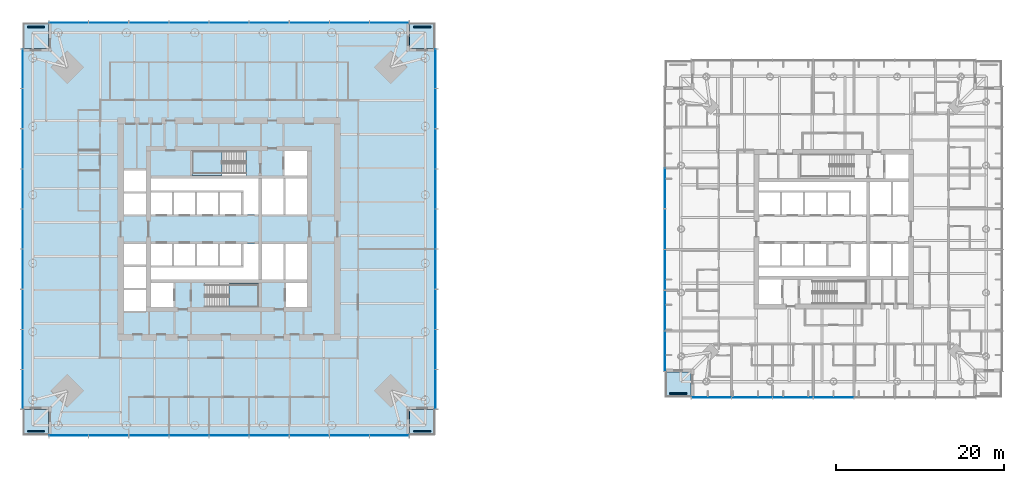
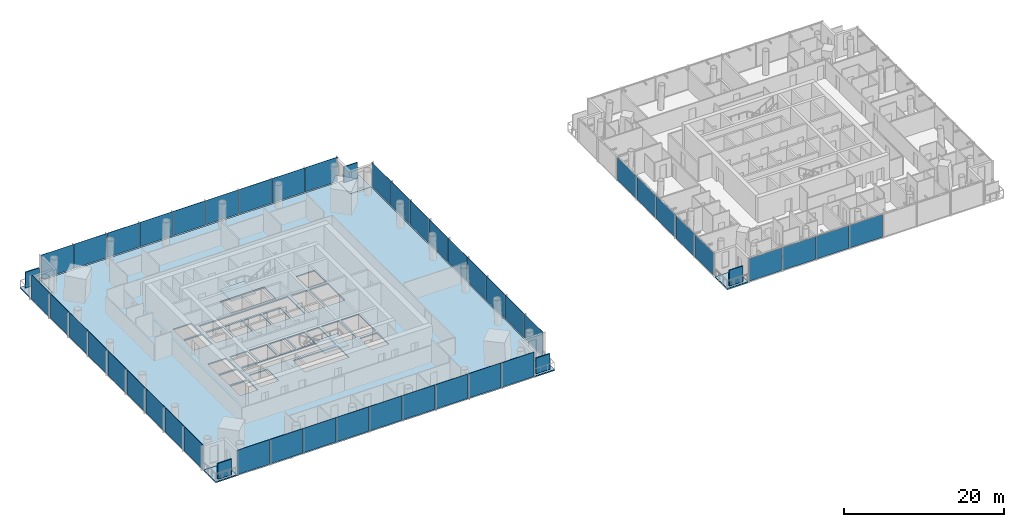
# One storey, part 8 of 22: 50 plates, 8 slabs, 8 elements without a shape of their own.
"""IFC4 building model written with IfcOpenShell, lengths in metres."""

from ifc_helpers import new_model, si_unit, direction, frame, origin, origin_2d, place, context, subcontext, project, spatial, polyline, rectangle, outline, extrude, material, layer, layer_set, type_object, element, aggregate, save


model = new_model("IFC4")

# Units and contexts
model_context = context("Model", 3, precision=1e-05, world=origin(), true_north=direction((0.0, 1.0)))
body_context = subcontext(model_context, "Body", "Model", "MODEL_VIEW")
ifc_project = project(units=[si_unit("LENGTHUNIT", "METRE"), si_unit("AREAUNIT", "SQUARE_METRE"), si_unit("VOLUMEUNIT", "CUBIC_METRE"), si_unit("PLANEANGLEUNIT", "RADIAN"), si_unit("MASSUNIT", "GRAM", prefix="KILO")], contexts=[model_context])

# Site, building, storey
site_placement = place(None, origin())
site = spatial("IfcSite", under=ifc_project, at=site_placement, CompositionType="ELEMENT")
building_placement = place(site_placement, origin())
building = spatial("IfcBuilding", under=site, at=building_placement, Name="Ostroluk Exchange", CompositionType="ELEMENT")
storey_placement = place(building_placement, frame((0.0, 0.0, 40.0)))
storey = spatial("IfcBuildingStorey", under=building, at=storey_placement, Name="L09", CompositionType="ELEMENT", Elevation=40.0)

# Curtain wall, plates
ifc_material_1 = material(Name="Laminated clear glass", Category="glass")
curtain_wall_type_1 = type_object("IfcCurtainWallType", Name="Hotel guest floor facade", PredefinedType="USERDEFINED", material=ifc_material_1)
curtain_wall_1_placement = place(storey_placement, origin())
curtain_wall_1 = element("IfcCurtainWall", 1, at=curtain_wall_1_placement, inside=storey, type_object=curtain_wall_type_1, Name="Hotel tower south facade L09", ObjectType="UNITISED CURTAIN WALL", PredefinedType="USERDEFINED")
ifc_material_2 = material(Name="Laminated clear glass", Category="glass")
ifc_layer_1 = layer(ifc_material_2, 0.0400390625)
ifc_layer_set_1 = layer_set([ifc_layer_1], Name="Acoustic laminated glazing 40")
plate_type_1 = type_object("IfcPlateType", Name="Acoustic laminated glazing 40", PredefinedType="CURTAIN_PANEL", material=ifc_layer_set_1)
plate_1_placement = place(storey_placement, frame((102.448486328125, 25.925048828125, 0.080078125), z_axis=(0.0, 0.0, 1.0), x_axis=(1.0, 0.0, 0.0)))
plate_1 = element("IfcPlate", 2, at=plate_1_placement, type_object=plate_type_1, Name="CW-H1 panel 1.1", PredefinedType="CURTAIN_PANEL", context=body_context, shape_type="SweptSolid", body=[
    extrude(rectangle(XDim=4.737060546875, YDim=0.0400390625, at=origin_2d()), origin(), (0.0, 0.0, 1.0), 3.489990234375),
])
plate_2_placement = place(storey_placement, frame((107.28564453125, 25.925048828125, 0.080078125), z_axis=(0.0, 0.0, 1.0), x_axis=(1.0, 0.0, 0.0)))
plate_2 = element("IfcPlate", 3, at=plate_2_placement, type_object=plate_type_1, Name="CW-H1 panel 2.1", PredefinedType="CURTAIN_PANEL", context=body_context, shape_type="SweptSolid", body=[
    extrude(rectangle(XDim=4.777099609375, YDim=0.0400390625, at=origin_2d()), origin(), (0.0, 0.0, 1.0), 3.489990234375),
])
plate_3_placement = place(storey_placement, frame((112.142822265625, 25.925048828125, 0.080078125), z_axis=(0.0, 0.0, 1.0), x_axis=(1.0, 0.0, 0.0)))
plate_3 = element("IfcPlate", 4, at=plate_3_placement, type_object=plate_type_1, Name="CW-H1 panel 3.1", PredefinedType="CURTAIN_PANEL", context=body_context, shape_type="SweptSolid", body=[
    extrude(rectangle(XDim=4.777099609375, YDim=0.0400390625, at=origin_2d()), origin(), (0.0, 0.0, 1.0), 3.489990234375),
])
plate_4_placement = place(storey_placement, frame((117.0, 25.925048828125, 0.080078125), z_axis=(0.0, 0.0, 1.0), x_axis=(1.0, 0.0, 0.0)))
plate_4 = element("IfcPlate", 5, at=plate_4_placement, type_object=plate_type_1, Name="CW-H1 panel 4.1", PredefinedType="CURTAIN_PANEL", context=body_context, shape_type="SweptSolid", body=[
    extrude(rectangle(XDim=4.777099609375, YDim=0.0400390625, at=origin_2d()), origin(), (0.0, 0.0, 1.0), 3.489990234375),
])
aggregate(curtain_wall_1, [plate_1, plate_2, plate_3, plate_4])

curtain_wall_2_placement = place(storey_placement, origin())
curtain_wall_2 = element("IfcCurtainWall", 6, at=curtain_wall_2_placement, inside=storey, type_object=curtain_wall_type_1, Name="Hotel tower west facade L09", ObjectType="UNITISED CURTAIN WALL", PredefinedType="USERDEFINED")
plate_5_placement = place(storey_placement, frame((96.925048828125, 50.857177734375, 0.080078125), z_axis=(0.0, 0.0, 1.0), x_axis=(0.0, -1.0, 0.0)))
plate_5 = element("IfcPlate", 7, at=plate_5_placement, type_object=plate_type_1, Name="CW-H1 panel 3.1", PredefinedType="CURTAIN_PANEL", context=body_context, shape_type="SweptSolid", body=[
    extrude(rectangle(XDim=4.777099609375, YDim=0.0400390625, at=origin_2d()), origin(), (0.0, 0.0, 1.0), 3.489990234375),
])
plate_6_placement = place(storey_placement, frame((96.925048828125, 46.0, 0.080078125), z_axis=(0.0, 0.0, 1.0), x_axis=(0.0, -1.0, 0.0)))
plate_6 = element("IfcPlate", 8, at=plate_6_placement, type_object=plate_type_1, Name="CW-H1 panel 4.1", PredefinedType="CURTAIN_PANEL", context=body_context, shape_type="SweptSolid", body=[
    extrude(rectangle(XDim=4.777099609375, YDim=0.0400390625, at=origin_2d()), origin(), (0.0, 0.0, 1.0), 3.489990234375),
])
plate_7_placement = place(storey_placement, frame((96.925048828125, 41.142822265625, 0.080078125), z_axis=(0.0, 0.0, 1.0), x_axis=(0.0, -1.0, 0.0)))
plate_7 = element("IfcPlate", 9, at=plate_7_placement, type_object=plate_type_1, Name="CW-H1 panel 5.1", PredefinedType="CURTAIN_PANEL", context=body_context, shape_type="SweptSolid", body=[
    extrude(rectangle(XDim=4.777099609375, YDim=0.0400390625, at=origin_2d()), origin(), (0.0, 0.0, 1.0), 3.489990234375),
])
plate_8_placement = place(storey_placement, frame((96.925048828125, 36.28564453125, 0.080078125), z_axis=(0.0, 0.0, 1.0), x_axis=(0.0, -1.0, 0.0)))
plate_8 = element("IfcPlate", 10, at=plate_8_placement, type_object=plate_type_1, Name="CW-H1 panel 6.1", PredefinedType="CURTAIN_PANEL", context=body_context, shape_type="SweptSolid", body=[
    extrude(rectangle(XDim=4.777099609375, YDim=0.0400390625, at=origin_2d()), origin(), (0.0, 0.0, 1.0), 3.489990234375),
])
plate_9_placement = place(storey_placement, frame((96.925048828125, 31.448486328125, 0.080078125), z_axis=(0.0, 0.0, 1.0), x_axis=(0.0, -1.0, 0.0)))
plate_9 = element("IfcPlate", 11, at=plate_9_placement, type_object=plate_type_1, Name="CW-H1 panel 7.1", PredefinedType="CURTAIN_PANEL", context=body_context, shape_type="SweptSolid", body=[
    extrude(rectangle(XDim=4.737060546875, YDim=0.0400390625, at=origin_2d()), origin(), (0.0, 0.0, 1.0), 3.489990234375),
])
aggregate(curtain_wall_2, [plate_5, plate_6, plate_7, plate_8, plate_9])

# Slabs
ifc_material_3 = material(Name="Concrete C35/45", Category="concrete")
ifc_layer_2 = layer(ifc_material_3, 0.179931640625)
ifc_layer_set_2 = layer_set([ifc_layer_2], Name="Balcony slab 180")
slab_type_1 = type_object("IfcSlabType", Name="Balcony slab 180", PredefinedType="USERDEFINED", material=ifc_layer_set_2)
slab_1_placement = place(storey_placement, frame((0.0, 0.0, -0.179931640625)))
element("IfcSlab", 12, at=slab_1_placement, inside=storey, type_object=slab_type_1, Name="Office tower SE corner balcony L09", ObjectType="BALCONY", PredefinedType="USERDEFINED", context=body_context, shape_type="SweptSolid", body=[
    extrude(outline(polyline([(66.5, 21.5), (69.5, 21.5), (69.5, 24.5), (66.5, 24.5), (66.5, 21.5)])), origin(), (0.0, 0.0, 1.0), 0.179931640625),
])
slab_2_placement = place(storey_placement, frame((0.0, 0.0, -0.179931640625)))
element("IfcSlab", 13, at=slab_2_placement, inside=storey, type_object=slab_type_1, Name="Office tower NE corner balcony L09", ObjectType="BALCONY", PredefinedType="USERDEFINED", context=body_context, shape_type="SweptSolid", body=[
    extrude(outline(polyline([(66.5, 67.5), (69.5, 67.5), (69.5, 70.5), (66.5, 70.5), (66.5, 67.5)])), origin(), (0.0, 0.0, 1.0), 0.179931640625),
])
slab_3_placement = place(storey_placement, frame((0.0, 0.0, -0.179931640625)))
element("IfcSlab", 14, at=slab_3_placement, inside=storey, type_object=slab_type_1, Name="Office tower NW corner balcony L09", ObjectType="BALCONY", PredefinedType="USERDEFINED", context=body_context, shape_type="SweptSolid", body=[
    extrude(outline(polyline([(20.5, 67.5), (23.5, 67.5), (23.5, 70.5), (20.5, 70.5), (20.5, 67.5)])), origin(), (0.0, 0.0, 1.0), 0.179931640625),
])
slab_4_placement = place(storey_placement, frame((0.0, 0.0, -0.179931640625)))
element("IfcSlab", 15, at=slab_4_placement, inside=storey, type_object=slab_type_1, Name="Office tower SW corner balcony L09", ObjectType="BALCONY", PredefinedType="USERDEFINED", context=body_context, shape_type="SweptSolid", body=[
    extrude(outline(polyline([(20.5, 21.5), (23.5, 21.5), (23.5, 24.5), (20.5, 24.5), (20.5, 21.5)])), origin(), (0.0, 0.0, 1.0), 0.179931640625),
])
ifc_material_4 = material(Name="Concrete C35/45", Category="concrete")
ifc_layer_3 = layer(ifc_material_4, 0.199951171875)
ifc_layer_set_3 = layer_set([ifc_layer_3], Name="Balcony slab 200")
slab_type_2 = type_object("IfcSlabType", Name="Balcony slab 200", PredefinedType="USERDEFINED", material=ifc_layer_set_3)
slab_5_placement = place(storey_placement, frame((0.0, 0.0, -0.199951171875)))
element("IfcSlab", 16, at=slab_5_placement, inside=storey, type_object=slab_type_2, Name="Hotel tower SW corner balcony L09", ObjectType="BALCONY", PredefinedType="USERDEFINED", context=body_context, shape_type="SweptSolid", body=[
    extrude(outline(polyline([(97.0, 26.0), (100.0, 26.0), (100.0, 29.0), (97.0, 29.0), (97.0, 26.0)])), origin(), (0.0, 0.0, 1.0), 0.199951171875),
])

# Plates
ifc_material_5 = material(Name="Steel S355 trellis with planting", Category="steel")
ifc_layer_4 = layer(ifc_material_5, 0.14990234375)
ifc_layer_set_4 = layer_set([ifc_layer_4], Name="Planted screen 150")
plate_type_2 = type_object("IfcPlateType", Name="Planted screen 150", PredefinedType="USERDEFINED", material=ifc_layer_set_4)
for number, where, z_axis, x_axis, name in (
    (17, (68.0, 21.925048828125, 0.0), (0.0, 0.0, 1.0), (1.0, 0.0, 0.0), "Office tower SE planted screen L09"),
    (18, (68.0, 70.074951171875, 0.0), (0.0, 0.0, 1.0), (1.0, 0.0, 0.0), "Office tower NE planted screen L09"),
    (19, (22.0, 70.074951171875, 0.0), (0.0, 0.0, 1.0), (1.0, 0.0, 0.0), "Office tower NW planted screen L09"),
    (20, (22.0, 21.925048828125, 0.0), (0.0, 0.0, 1.0), (1.0, 0.0, 0.0), "Office tower SW planted screen L09"),
    (21, (98.5, 26.425048828125, 0.0), (0.0, 0.0, 1.0), (1.0, 0.0, 0.0), "Hotel tower SW planted screen L09"),
):
    element("IfcPlate", number, at=place(storey_placement, frame(where, z_axis=z_axis, x_axis=x_axis)), inside=storey, type_object=plate_type_2, Name=name, ObjectType="PLANTED SCREEN", PredefinedType="USERDEFINED", context=body_context, shape_type="SweptSolid", body=[
        extrude(rectangle(XDim=2.0, YDim=0.14990234375, at=origin_2d()), origin(), (0.0, 0.0, 1.0), 2.39990234375),
    ])

# Stair, slab
ifc_material_6 = material(Name="Concrete C30/37", Category="concrete")
stair_type = type_object("IfcStairType", Name="Exit stair half turn 3800", PredefinedType="HALF_TURN_STAIR", material=ifc_material_6)
stair_1_placement = place(storey_placement, origin())
stair_1 = element("IfcStair", 22, at=stair_1_placement, inside=storey, type_object=stair_type, Name="Stair T1-S1 L09", PredefinedType="HALF_TURN_STAIR")
ifc_material_7 = material(Name="Concrete C30/37", Category="concrete")
ifc_layer_5 = layer(ifc_material_7, 0.199951171875)
ifc_layer_set_5 = layer_set([ifc_layer_5], Name="Stair landing 200")
slab_type_3 = type_object("IfcSlabType", Name="Stair landing 200", PredefinedType="LANDING", material=ifc_layer_set_5)
slab_6_placement = place(storey_placement, frame((0.0, 0.0, 1.699951171875)))
slab_6 = element("IfcSlab", 23, at=slab_6_placement, type_object=slab_type_3, Name="T1-S1 landing 1", PredefinedType="LANDING", context=body_context, shape_type="SweptSolid", body=[
    extrude(outline(polyline([(45.0, 36.699951171875), (45.0, 39.60009765625), (48.530029296875, 39.60009765625), (48.530029296875, 36.699951171875), (45.0, 36.699951171875)])), origin(), (0.0, 0.0, 1.0), 0.199951171875),
])
aggregate(stair_1, [slab_6])

stair_2_placement = place(storey_placement, origin())
stair_2 = element("IfcStair", 24, at=stair_2_placement, inside=storey, type_object=stair_type, Name="Stair T1-S2 L09", PredefinedType="HALF_TURN_STAIR")
slab_7_placement = place(storey_placement, frame((0.0, 0.0, 1.699951171875)))
slab_7 = element("IfcSlab", 25, at=slab_7_placement, type_object=slab_type_3, Name="T1-S2 landing 1", PredefinedType="LANDING", context=body_context, shape_type="SweptSolid", body=[
    extrude(outline(polyline([(44.1298828125, 52.39990234375), (44.1298828125, 55.300048828125), (40.60009765625, 55.300048828125), (40.60009765625, 52.39990234375), (44.1298828125, 52.39990234375)])), origin(), (0.0, 0.0, 1.0), 0.199951171875),
])
aggregate(stair_2, [slab_7])

# Slab
ifc_material_8 = material(Name="Concrete C35/45", Category="concrete")
ifc_layer_6 = layer(ifc_material_8, 0.179931640625)
ifc_layer_set_6 = layer_set([ifc_layer_6], Name="Tower floor slab 180 composite")
slab_type_4 = type_object("IfcSlabType", Name="Tower floor slab 180 composite", PredefinedType="FLOOR", material=ifc_layer_set_6)
slab_8_placement = place(storey_placement, frame((0.0, 0.0, -0.179931640625)))
element("IfcSlab", 26, at=slab_8_placement, inside=storey, type_object=slab_type_4, Name="Office tower floor slab L09", PredefinedType="FLOOR", context=body_context, shape_type="SweptSolid", body=[
    extrude(outline(polyline([(23.5, 21.5), (66.5, 21.5), (66.5, 24.5), (69.5, 24.5), (69.5, 67.5), (66.5, 67.5), (66.5, 70.5), (23.5, 70.5), (23.5, 67.5), (20.5, 67.5), (20.5, 24.5), (23.5, 24.5), (23.5, 21.5)]), holes=[polyline([(35.699951171875, 36.699951171875), (38.39990234375, 36.699951171875), (38.39990234375, 39.60009765625), (35.699951171875, 39.60009765625), (35.699951171875, 36.699951171875)]), polyline([(42.110107421875, 36.699951171875), (48.530029296875, 36.699951171875), (48.530029296875, 39.60009765625), (42.110107421875, 39.60009765625), (42.110107421875, 36.699951171875)]), polyline([(51.800048828125, 36.699951171875), (54.300048828125, 36.699951171875), (54.300048828125, 39.60009765625), (51.800048828125, 39.60009765625), (51.800048828125, 36.699951171875)]), polyline([(40.60009765625, 52.39990234375), (47.02001953125, 52.39990234375), (47.02001953125, 55.300048828125), (40.60009765625, 55.300048828125), (40.60009765625, 52.39990234375)]), polyline([(51.60009765625, 52.39990234375), (54.300048828125, 52.39990234375), (54.300048828125, 55.300048828125), (51.60009765625, 55.300048828125), (51.60009765625, 52.39990234375)]), polyline([(35.699951171875, 47.75), (38.199951171875, 47.75), (38.199951171875, 50.35009765625), (35.699951171875, 50.35009765625), (35.699951171875, 47.75)]), polyline([(38.449951171875, 47.75), (40.949951171875, 47.75), (40.949951171875, 50.35009765625), (38.449951171875, 50.35009765625), (38.449951171875, 47.75)]), polyline([(41.199951171875, 47.75), (43.699951171875, 47.75), (43.699951171875, 50.35009765625), (41.199951171875, 50.35009765625), (41.199951171875, 47.75)]), polyline([(43.949951171875, 47.75), (46.449951171875, 47.75), (46.449951171875, 50.35009765625), (43.949951171875, 50.35009765625), (43.949951171875, 47.75)]), polyline([(35.699951171875, 41.64990234375), (38.199951171875, 41.64990234375), (38.199951171875, 44.25), (35.699951171875, 44.25), (35.699951171875, 41.64990234375)]), polyline([(38.449951171875, 41.64990234375), (40.949951171875, 41.64990234375), (40.949951171875, 44.25), (38.449951171875, 44.25), (38.449951171875, 41.64990234375)]), polyline([(41.199951171875, 41.64990234375), (43.699951171875, 41.64990234375), (43.699951171875, 44.25), (41.199951171875, 44.25), (41.199951171875, 41.64990234375)]), polyline([(43.949951171875, 41.64990234375), (46.449951171875, 41.64990234375), (46.449951171875, 44.25), (43.949951171875, 44.25), (43.949951171875, 41.64990234375)]), polyline([(48.929931640625, 47.75), (51.489990234375, 47.75), (51.489990234375, 52.0), (48.929931640625, 52.0), (48.929931640625, 47.75)]), polyline([(51.739990234375, 47.75), (54.300048828125, 47.75), (54.300048828125, 52.0), (51.739990234375, 52.0), (51.739990234375, 47.75)]), polyline([(48.929931640625, 40.0), (51.489990234375, 40.0), (51.489990234375, 44.25), (48.929931640625, 44.25), (48.929931640625, 40.0)]), polyline([(51.739990234375, 40.0), (54.300048828125, 40.0), (54.300048828125, 44.25), (51.739990234375, 44.25), (51.739990234375, 40.0)]), polyline([(48.530029296875, 52.0), (48.530029296875, 47.75), (46.699951171875, 47.75), (46.699951171875, 50.60009765625), (35.699951171875, 50.60009765625), (35.699951171875, 52.0), (48.530029296875, 52.0)]), polyline([(35.699951171875, 40.0), (35.699951171875, 41.39990234375), (46.699951171875, 41.39990234375), (46.699951171875, 44.25), (48.530029296875, 44.25), (48.530029296875, 40.0), (35.699951171875, 40.0)]), polyline([(32.5, 36.25), (35.10009765625, 36.25), (35.10009765625, 38.75), (32.5, 38.75), (32.5, 36.25)]), polyline([(32.5, 39.0), (35.10009765625, 39.0), (35.10009765625, 41.5), (32.5, 41.5), (32.5, 39.0)]), polyline([(32.5, 41.75), (35.10009765625, 41.75), (35.10009765625, 44.25), (32.5, 44.25), (32.5, 41.75)]), polyline([(32.5, 47.75), (35.10009765625, 47.75), (35.10009765625, 50.25), (32.5, 50.25), (32.5, 47.75)]), polyline([(32.5, 50.5), (35.10009765625, 50.5), (35.10009765625, 53.0), (32.5, 53.0), (32.5, 50.5)])]), origin(), (0.0, 0.0, 1.0), 0.179931640625),
])

# Curtain wall, plates
ifc_material_9 = material(Name="Laminated clear glass", Category="glass")
curtain_wall_type_2 = type_object("IfcCurtainWallType", Name="Office tower facade", PredefinedType="USERDEFINED", material=ifc_material_9)
curtain_wall_3_placement = place(storey_placement, origin())
curtain_wall_3 = element("IfcCurtainWall", 27, at=curtain_wall_3_placement, inside=storey, type_object=curtain_wall_type_2, Name="Office tower south facade L09", ObjectType="UNITISED CURTAIN WALL", PredefinedType="USERDEFINED")
ifc_material_10 = material(Name="Laminated clear glass", Category="glass")
ifc_layer_7 = layer(ifc_material_10, 0.0439453125)
ifc_layer_set_7 = layer_set([ifc_layer_7], Name="Triple laminated clear glazing 44")
plate_type_3 = type_object("IfcPlateType", Name="Triple laminated clear glazing 44", PredefinedType="CURTAIN_PANEL", material=ifc_layer_set_7)
plate_10_placement = place(storey_placement, frame((25.908935546875, 21.425048828125, 0.080078125), z_axis=(0.0, 0.0, 1.0), x_axis=(1.0, 0.0, 0.0)))
plate_10 = element("IfcPlate", 28, at=plate_10_placement, type_object=plate_type_3, Name="CW-O1 panel 1.1", PredefinedType="CURTAIN_PANEL", context=body_context, shape_type="SweptSolid", body=[
    extrude(rectangle(XDim=4.65771484375, YDim=0.0439453125, at=origin_2d()), origin(), (0.0, 0.0, 1.0), 3.719970703125),
])
plate_11_placement = place(storey_placement, frame((30.666748046875, 21.425048828125, 0.080078125), z_axis=(0.0, 0.0, 1.0), x_axis=(1.0, 0.0, 0.0)))
plate_11 = element("IfcPlate", 29, at=plate_11_placement, type_object=plate_type_3, Name="CW-O1 panel 2.1", PredefinedType="CURTAIN_PANEL", context=body_context, shape_type="SweptSolid", body=[
    extrude(rectangle(XDim=4.69775390625, YDim=0.0439453125, at=origin_2d()), origin(), (0.0, 0.0, 1.0), 3.719970703125),
])
plate_12_placement = place(storey_placement, frame((35.4443359375, 21.425048828125, 0.080078125), z_axis=(0.0, 0.0, 1.0), x_axis=(1.0, 0.0, 0.0)))
plate_12 = element("IfcPlate", 30, at=plate_12_placement, type_object=plate_type_3, Name="CW-O1 panel 3.1", PredefinedType="CURTAIN_PANEL", context=body_context, shape_type="SweptSolid", body=[
    extrude(rectangle(XDim=4.69775390625, YDim=0.0439453125, at=origin_2d()), origin(), (0.0, 0.0, 1.0), 3.719970703125),
])
plate_13_placement = place(storey_placement, frame((40.22216796875, 21.425048828125, 0.080078125), z_axis=(0.0, 0.0, 1.0), x_axis=(1.0, 0.0, 0.0)))
plate_13 = element("IfcPlate", 31, at=plate_13_placement, type_object=plate_type_3, Name="CW-O1 panel 4.1", PredefinedType="CURTAIN_PANEL", context=body_context, shape_type="SweptSolid", body=[
    extrude(rectangle(XDim=4.69775390625, YDim=0.0439453125, at=origin_2d()), origin(), (0.0, 0.0, 1.0), 3.719970703125),
])
plate_14_placement = place(storey_placement, frame((45.0, 21.425048828125, 0.080078125), z_axis=(0.0, 0.0, 1.0), x_axis=(1.0, 0.0, 0.0)))
plate_14 = element("IfcPlate", 32, at=plate_14_placement, type_object=plate_type_3, Name="CW-O1 panel 5.1", PredefinedType="CURTAIN_PANEL", context=body_context, shape_type="SweptSolid", body=[
    extrude(rectangle(XDim=4.69775390625, YDim=0.0439453125, at=origin_2d()), origin(), (0.0, 0.0, 1.0), 3.719970703125),
])
plate_15_placement = place(storey_placement, frame((49.77783203125, 21.425048828125, 0.080078125), z_axis=(0.0, 0.0, 1.0), x_axis=(1.0, 0.0, 0.0)))
plate_15 = element("IfcPlate", 33, at=plate_15_placement, type_object=plate_type_3, Name="CW-O1 panel 6.1", PredefinedType="CURTAIN_PANEL", context=body_context, shape_type="SweptSolid", body=[
    extrude(rectangle(XDim=4.69775390625, YDim=0.0439453125, at=origin_2d()), origin(), (0.0, 0.0, 1.0), 3.719970703125),
])
plate_16_placement = place(storey_placement, frame((54.5556640625, 21.425048828125, 0.080078125), z_axis=(0.0, 0.0, 1.0), x_axis=(1.0, 0.0, 0.0)))
plate_16 = element("IfcPlate", 34, at=plate_16_placement, type_object=plate_type_3, Name="CW-O1 panel 7.1", PredefinedType="CURTAIN_PANEL", context=body_context, shape_type="SweptSolid", body=[
    extrude(rectangle(XDim=4.69775390625, YDim=0.0439453125, at=origin_2d()), origin(), (0.0, 0.0, 1.0), 3.719970703125),
])
plate_17_placement = place(storey_placement, frame((59.333251953125, 21.425048828125, 0.080078125), z_axis=(0.0, 0.0, 1.0), x_axis=(1.0, 0.0, 0.0)))
plate_17 = element("IfcPlate", 35, at=plate_17_placement, type_object=plate_type_3, Name="CW-O1 panel 8.1", PredefinedType="CURTAIN_PANEL", context=body_context, shape_type="SweptSolid", body=[
    extrude(rectangle(XDim=4.69775390625, YDim=0.0439453125, at=origin_2d()), origin(), (0.0, 0.0, 1.0), 3.719970703125),
])
plate_18_placement = place(storey_placement, frame((64.091064453125, 21.425048828125, 0.080078125), z_axis=(0.0, 0.0, 1.0), x_axis=(1.0, 0.0, 0.0)))
plate_18 = element("IfcPlate", 36, at=plate_18_placement, type_object=plate_type_3, Name="CW-O1 panel 9.1", PredefinedType="CURTAIN_PANEL", context=body_context, shape_type="SweptSolid", body=[
    extrude(rectangle(XDim=4.65771484375, YDim=0.0439453125, at=origin_2d()), origin(), (0.0, 0.0, 1.0), 3.719970703125),
])
aggregate(curtain_wall_3, [plate_10, plate_11, plate_12, plate_13, plate_14, plate_15, plate_16, plate_17, plate_18])

curtain_wall_4_placement = place(storey_placement, origin())
curtain_wall_4 = element("IfcCurtainWall", 37, at=curtain_wall_4_placement, inside=storey, type_object=curtain_wall_type_2, Name="Office tower east facade L09", ObjectType="UNITISED CURTAIN WALL", PredefinedType="USERDEFINED")
plate_19_placement = place(storey_placement, frame((69.574951171875, 26.908935546875, 0.080078125), z_axis=(0.0, 0.0, 1.0), x_axis=(0.0, 1.0, 0.0)))
plate_19 = element("IfcPlate", 38, at=plate_19_placement, type_object=plate_type_3, Name="CW-O1 panel 1.1", PredefinedType="CURTAIN_PANEL", context=body_context, shape_type="SweptSolid", body=[
    extrude(rectangle(XDim=4.65771484375, YDim=0.0439453125, at=origin_2d()), origin(), (0.0, 0.0, 1.0), 3.719970703125),
])
plate_20_placement = place(storey_placement, frame((69.574951171875, 31.666748046875, 0.080078125), z_axis=(0.0, 0.0, 1.0), x_axis=(0.0, 1.0, 0.0)))
plate_20 = element("IfcPlate", 39, at=plate_20_placement, type_object=plate_type_3, Name="CW-O1 panel 2.1", PredefinedType="CURTAIN_PANEL", context=body_context, shape_type="SweptSolid", body=[
    extrude(rectangle(XDim=4.69775390625, YDim=0.0439453125, at=origin_2d()), origin(), (0.0, 0.0, 1.0), 3.719970703125),
])
plate_21_placement = place(storey_placement, frame((69.574951171875, 36.4443359375, 0.080078125), z_axis=(0.0, 0.0, 1.0), x_axis=(0.0, 1.0, 0.0)))
plate_21 = element("IfcPlate", 40, at=plate_21_placement, type_object=plate_type_3, Name="CW-O1 panel 3.1", PredefinedType="CURTAIN_PANEL", context=body_context, shape_type="SweptSolid", body=[
    extrude(rectangle(XDim=4.69775390625, YDim=0.0439453125, at=origin_2d()), origin(), (0.0, 0.0, 1.0), 3.719970703125),
])
plate_22_placement = place(storey_placement, frame((69.574951171875, 41.22216796875, 0.080078125), z_axis=(0.0, 0.0, 1.0), x_axis=(0.0, 1.0, 0.0)))
plate_22 = element("IfcPlate", 41, at=plate_22_placement, type_object=plate_type_3, Name="CW-O1 panel 4.1", PredefinedType="CURTAIN_PANEL", context=body_context, shape_type="SweptSolid", body=[
    extrude(rectangle(XDim=4.69775390625, YDim=0.0439453125, at=origin_2d()), origin(), (0.0, 0.0, 1.0), 3.719970703125),
])
plate_23_placement = place(storey_placement, frame((69.574951171875, 46.0, 0.080078125), z_axis=(0.0, 0.0, 1.0), x_axis=(0.0, 1.0, 0.0)))
plate_23 = element("IfcPlate", 42, at=plate_23_placement, type_object=plate_type_3, Name="CW-O1 panel 5.1", PredefinedType="CURTAIN_PANEL", context=body_context, shape_type="SweptSolid", body=[
    extrude(rectangle(XDim=4.69775390625, YDim=0.0439453125, at=origin_2d()), origin(), (0.0, 0.0, 1.0), 3.719970703125),
])
plate_24_placement = place(storey_placement, frame((69.574951171875, 50.77783203125, 0.080078125), z_axis=(0.0, 0.0, 1.0), x_axis=(0.0, 1.0, 0.0)))
plate_24 = element("IfcPlate", 43, at=plate_24_placement, type_object=plate_type_3, Name="CW-O1 panel 6.1", PredefinedType="CURTAIN_PANEL", context=body_context, shape_type="SweptSolid", body=[
    extrude(rectangle(XDim=4.69775390625, YDim=0.0439453125, at=origin_2d()), origin(), (0.0, 0.0, 1.0), 3.719970703125),
])
plate_25_placement = place(storey_placement, frame((69.574951171875, 55.5556640625, 0.080078125), z_axis=(0.0, 0.0, 1.0), x_axis=(0.0, 1.0, 0.0)))
plate_25 = element("IfcPlate", 44, at=plate_25_placement, type_object=plate_type_3, Name="CW-O1 panel 7.1", PredefinedType="CURTAIN_PANEL", context=body_context, shape_type="SweptSolid", body=[
    extrude(rectangle(XDim=4.69775390625, YDim=0.0439453125, at=origin_2d()), origin(), (0.0, 0.0, 1.0), 3.719970703125),
])
plate_26_placement = place(storey_placement, frame((69.574951171875, 60.333251953125, 0.080078125), z_axis=(0.0, 0.0, 1.0), x_axis=(0.0, 1.0, 0.0)))
plate_26 = element("IfcPlate", 45, at=plate_26_placement, type_object=plate_type_3, Name="CW-O1 panel 8.1", PredefinedType="CURTAIN_PANEL", context=body_context, shape_type="SweptSolid", body=[
    extrude(rectangle(XDim=4.69775390625, YDim=0.0439453125, at=origin_2d()), origin(), (0.0, 0.0, 1.0), 3.719970703125),
])
plate_27_placement = place(storey_placement, frame((69.574951171875, 65.091064453125, 0.080078125), z_axis=(0.0, 0.0, 1.0), x_axis=(0.0, 1.0, 0.0)))
plate_27 = element("IfcPlate", 46, at=plate_27_placement, type_object=plate_type_3, Name="CW-O1 panel 9.1", PredefinedType="CURTAIN_PANEL", context=body_context, shape_type="SweptSolid", body=[
    extrude(rectangle(XDim=4.65771484375, YDim=0.0439453125, at=origin_2d()), origin(), (0.0, 0.0, 1.0), 3.719970703125),
])
aggregate(curtain_wall_4, [plate_19, plate_20, plate_21, plate_22, plate_23, plate_24, plate_25, plate_26, plate_27])

curtain_wall_5_placement = place(storey_placement, origin())
curtain_wall_5 = element("IfcCurtainWall", 47, at=curtain_wall_5_placement, inside=storey, type_object=curtain_wall_type_2, Name="Office tower north facade L09", ObjectType="UNITISED CURTAIN WALL", PredefinedType="USERDEFINED")
plate_28_placement = place(storey_placement, frame((64.091064453125, 70.574951171875, 0.080078125), z_axis=(0.0, 0.0, 1.0), x_axis=(-1.0, 0.0, 0.0)))
plate_28 = element("IfcPlate", 48, at=plate_28_placement, type_object=plate_type_3, Name="CW-O1 panel 1.1", PredefinedType="CURTAIN_PANEL", context=body_context, shape_type="SweptSolid", body=[
    extrude(rectangle(XDim=4.65771484375, YDim=0.0439453125, at=origin_2d()), origin(), (0.0, 0.0, 1.0), 3.719970703125),
])
plate_29_placement = place(storey_placement, frame((59.333251953125, 70.574951171875, 0.080078125), z_axis=(0.0, 0.0, 1.0), x_axis=(-1.0, 0.0, 0.0)))
plate_29 = element("IfcPlate", 49, at=plate_29_placement, type_object=plate_type_3, Name="CW-O1 panel 2.1", PredefinedType="CURTAIN_PANEL", context=body_context, shape_type="SweptSolid", body=[
    extrude(rectangle(XDim=4.69775390625, YDim=0.0439453125, at=origin_2d()), origin(), (0.0, 0.0, 1.0), 3.719970703125),
])
plate_30_placement = place(storey_placement, frame((54.5556640625, 70.574951171875, 0.080078125), z_axis=(0.0, 0.0, 1.0), x_axis=(-1.0, 0.0, 0.0)))
plate_30 = element("IfcPlate", 50, at=plate_30_placement, type_object=plate_type_3, Name="CW-O1 panel 3.1", PredefinedType="CURTAIN_PANEL", context=body_context, shape_type="SweptSolid", body=[
    extrude(rectangle(XDim=4.69775390625, YDim=0.0439453125, at=origin_2d()), origin(), (0.0, 0.0, 1.0), 3.719970703125),
])
plate_31_placement = place(storey_placement, frame((49.77783203125, 70.574951171875, 0.080078125), z_axis=(0.0, 0.0, 1.0), x_axis=(-1.0, 0.0, 0.0)))
plate_31 = element("IfcPlate", 51, at=plate_31_placement, type_object=plate_type_3, Name="CW-O1 panel 4.1", PredefinedType="CURTAIN_PANEL", context=body_context, shape_type="SweptSolid", body=[
    extrude(rectangle(XDim=4.69775390625, YDim=0.0439453125, at=origin_2d()), origin(), (0.0, 0.0, 1.0), 3.719970703125),
])
plate_32_placement = place(storey_placement, frame((45.0, 70.574951171875, 0.080078125), z_axis=(0.0, 0.0, 1.0), x_axis=(-1.0, 0.0, 0.0)))
plate_32 = element("IfcPlate", 52, at=plate_32_placement, type_object=plate_type_3, Name="CW-O1 panel 5.1", PredefinedType="CURTAIN_PANEL", context=body_context, shape_type="SweptSolid", body=[
    extrude(rectangle(XDim=4.69775390625, YDim=0.0439453125, at=origin_2d()), origin(), (0.0, 0.0, 1.0), 3.719970703125),
])
plate_33_placement = place(storey_placement, frame((40.22216796875, 70.574951171875, 0.080078125), z_axis=(0.0, 0.0, 1.0), x_axis=(-1.0, 0.0, 0.0)))
plate_33 = element("IfcPlate", 53, at=plate_33_placement, type_object=plate_type_3, Name="CW-O1 panel 6.1", PredefinedType="CURTAIN_PANEL", context=body_context, shape_type="SweptSolid", body=[
    extrude(rectangle(XDim=4.69775390625, YDim=0.0439453125, at=origin_2d()), origin(), (0.0, 0.0, 1.0), 3.719970703125),
])
plate_34_placement = place(storey_placement, frame((35.4443359375, 70.574951171875, 0.080078125), z_axis=(0.0, 0.0, 1.0), x_axis=(-1.0, 0.0, 0.0)))
plate_34 = element("IfcPlate", 54, at=plate_34_placement, type_object=plate_type_3, Name="CW-O1 panel 7.1", PredefinedType="CURTAIN_PANEL", context=body_context, shape_type="SweptSolid", body=[
    extrude(rectangle(XDim=4.69775390625, YDim=0.0439453125, at=origin_2d()), origin(), (0.0, 0.0, 1.0), 3.719970703125),
])
plate_35_placement = place(storey_placement, frame((30.666748046875, 70.574951171875, 0.080078125), z_axis=(0.0, 0.0, 1.0), x_axis=(-1.0, 0.0, 0.0)))
plate_35 = element("IfcPlate", 55, at=plate_35_placement, type_object=plate_type_3, Name="CW-O1 panel 8.1", PredefinedType="CURTAIN_PANEL", context=body_context, shape_type="SweptSolid", body=[
    extrude(rectangle(XDim=4.69775390625, YDim=0.0439453125, at=origin_2d()), origin(), (0.0, 0.0, 1.0), 3.719970703125),
])
plate_36_placement = place(storey_placement, frame((25.908935546875, 70.574951171875, 0.080078125), z_axis=(0.0, 0.0, 1.0), x_axis=(-1.0, 0.0, 0.0)))
plate_36 = element("IfcPlate", 56, at=plate_36_placement, type_object=plate_type_3, Name="CW-O1 panel 9.1", PredefinedType="CURTAIN_PANEL", context=body_context, shape_type="SweptSolid", body=[
    extrude(rectangle(XDim=4.65771484375, YDim=0.0439453125, at=origin_2d()), origin(), (0.0, 0.0, 1.0), 3.719970703125),
])
aggregate(curtain_wall_5, [plate_28, plate_29, plate_30, plate_31, plate_32, plate_33, plate_34, plate_35, plate_36])

curtain_wall_6_placement = place(storey_placement, origin())
curtain_wall_6 = element("IfcCurtainWall", 57, at=curtain_wall_6_placement, inside=storey, type_object=curtain_wall_type_2, Name="Office tower west facade L09", ObjectType="UNITISED CURTAIN WALL", PredefinedType="USERDEFINED")
plate_37_placement = place(storey_placement, frame((20.425048828125, 65.091064453125, 0.080078125), z_axis=(0.0, 0.0, 1.0), x_axis=(0.0, -1.0, 0.0)))
plate_37 = element("IfcPlate", 58, at=plate_37_placement, type_object=plate_type_3, Name="CW-O1 panel 1.1", PredefinedType="CURTAIN_PANEL", context=body_context, shape_type="SweptSolid", body=[
    extrude(rectangle(XDim=4.65771484375, YDim=0.0439453125, at=origin_2d()), origin(), (0.0, 0.0, 1.0), 3.719970703125),
])
plate_38_placement = place(storey_placement, frame((20.425048828125, 60.333251953125, 0.080078125), z_axis=(0.0, 0.0, 1.0), x_axis=(0.0, -1.0, 0.0)))
plate_38 = element("IfcPlate", 59, at=plate_38_placement, type_object=plate_type_3, Name="CW-O1 panel 2.1", PredefinedType="CURTAIN_PANEL", context=body_context, shape_type="SweptSolid", body=[
    extrude(rectangle(XDim=4.69775390625, YDim=0.0439453125, at=origin_2d()), origin(), (0.0, 0.0, 1.0), 3.719970703125),
])
plate_39_placement = place(storey_placement, frame((20.425048828125, 55.5556640625, 0.080078125), z_axis=(0.0, 0.0, 1.0), x_axis=(0.0, -1.0, 0.0)))
plate_39 = element("IfcPlate", 60, at=plate_39_placement, type_object=plate_type_3, Name="CW-O1 panel 3.1", PredefinedType="CURTAIN_PANEL", context=body_context, shape_type="SweptSolid", body=[
    extrude(rectangle(XDim=4.69775390625, YDim=0.0439453125, at=origin_2d()), origin(), (0.0, 0.0, 1.0), 3.719970703125),
])
plate_40_placement = place(storey_placement, frame((20.425048828125, 50.77783203125, 0.080078125), z_axis=(0.0, 0.0, 1.0), x_axis=(0.0, -1.0, 0.0)))
plate_40 = element("IfcPlate", 61, at=plate_40_placement, type_object=plate_type_3, Name="CW-O1 panel 4.1", PredefinedType="CURTAIN_PANEL", context=body_context, shape_type="SweptSolid", body=[
    extrude(rectangle(XDim=4.69775390625, YDim=0.0439453125, at=origin_2d()), origin(), (0.0, 0.0, 1.0), 3.719970703125),
])
plate_41_placement = place(storey_placement, frame((20.425048828125, 46.0, 0.080078125), z_axis=(0.0, 0.0, 1.0), x_axis=(0.0, -1.0, 0.0)))
plate_41 = element("IfcPlate", 62, at=plate_41_placement, type_object=plate_type_3, Name="CW-O1 panel 5.1", PredefinedType="CURTAIN_PANEL", context=body_context, shape_type="SweptSolid", body=[
    extrude(rectangle(XDim=4.69775390625, YDim=0.0439453125, at=origin_2d()), origin(), (0.0, 0.0, 1.0), 3.719970703125),
])
plate_42_placement = place(storey_placement, frame((20.425048828125, 41.22216796875, 0.080078125), z_axis=(0.0, 0.0, 1.0), x_axis=(0.0, -1.0, 0.0)))
plate_42 = element("IfcPlate", 63, at=plate_42_placement, type_object=plate_type_3, Name="CW-O1 panel 6.1", PredefinedType="CURTAIN_PANEL", context=body_context, shape_type="SweptSolid", body=[
    extrude(rectangle(XDim=4.69775390625, YDim=0.0439453125, at=origin_2d()), origin(), (0.0, 0.0, 1.0), 3.719970703125),
])
plate_43_placement = place(storey_placement, frame((20.425048828125, 36.4443359375, 0.080078125), z_axis=(0.0, 0.0, 1.0), x_axis=(0.0, -1.0, 0.0)))
plate_43 = element("IfcPlate", 64, at=plate_43_placement, type_object=plate_type_3, Name="CW-O1 panel 7.1", PredefinedType="CURTAIN_PANEL", context=body_context, shape_type="SweptSolid", body=[
    extrude(rectangle(XDim=4.69775390625, YDim=0.0439453125, at=origin_2d()), origin(), (0.0, 0.0, 1.0), 3.719970703125),
])
plate_44_placement = place(storey_placement, frame((20.425048828125, 31.666748046875, 0.080078125), z_axis=(0.0, 0.0, 1.0), x_axis=(0.0, -1.0, 0.0)))
plate_44 = element("IfcPlate", 65, at=plate_44_placement, type_object=plate_type_3, Name="CW-O1 panel 8.1", PredefinedType="CURTAIN_PANEL", context=body_context, shape_type="SweptSolid", body=[
    extrude(rectangle(XDim=4.69775390625, YDim=0.0439453125, at=origin_2d()), origin(), (0.0, 0.0, 1.0), 3.719970703125),
])
plate_45_placement = place(storey_placement, frame((20.425048828125, 26.908935546875, 0.080078125), z_axis=(0.0, 0.0, 1.0), x_axis=(0.0, -1.0, 0.0)))
plate_45 = element("IfcPlate", 66, at=plate_45_placement, type_object=plate_type_3, Name="CW-O1 panel 9.1", PredefinedType="CURTAIN_PANEL", context=body_context, shape_type="SweptSolid", body=[
    extrude(rectangle(XDim=4.65771484375, YDim=0.0439453125, at=origin_2d()), origin(), (0.0, 0.0, 1.0), 3.719970703125),
])
aggregate(curtain_wall_6, [plate_37, plate_38, plate_39, plate_40, plate_41, plate_42, plate_43, plate_44, plate_45])

save(model, "model.ifc")
